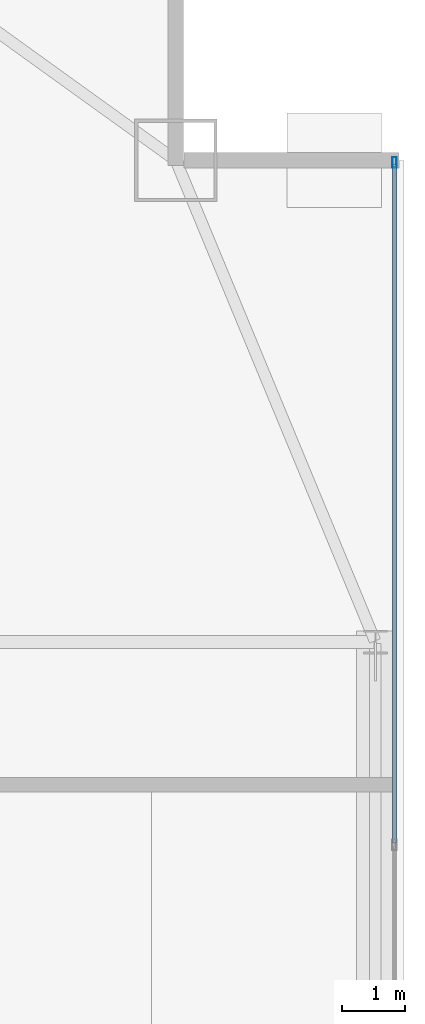
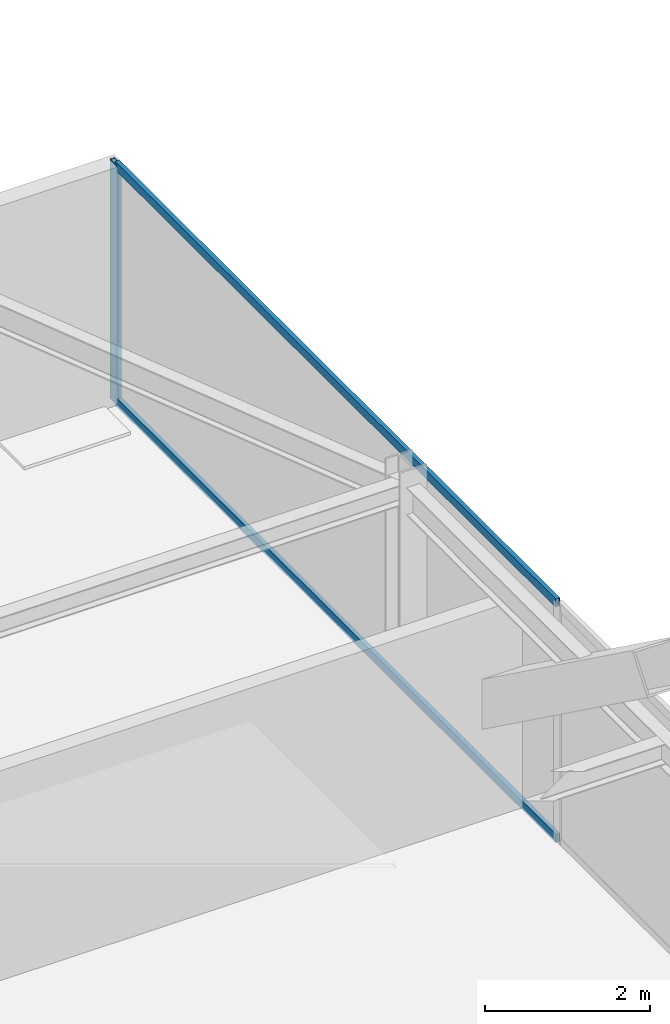
# One storey, part 24 of 33: 3 members, 1 element without a shape of its own.
"""IFC4 building model written with IfcOpenShell, lengths in metres."""

from ifc_helpers import new_model, si_unit, direction, frame, origin, origin_2d, place, context, subcontext, project, spatial, hollow_rectangle, extrude, source, transform, mapped, material, layer, layer_set, material_profile, profile_set, type_object, type_shapes, element, aggregate, save


model = new_model("IFC4")

# Units and contexts
model_context = context("Model", 3, precision=1e-05, world=origin(), true_north=direction((0.0, 1.0)))
body_context = subcontext(model_context, "Body", "Model", "MODEL_VIEW")
ifc_project = project(units=[si_unit("LENGTHUNIT", "METRE"), si_unit("AREAUNIT", "SQUARE_METRE"), si_unit("VOLUMEUNIT", "CUBIC_METRE"), si_unit("PLANEANGLEUNIT", "RADIAN"), si_unit("MASSUNIT", "GRAM", prefix="KILO")], contexts=[model_context])

# Site, building, storey
site_placement = place(None, origin())
site = spatial("IfcSite", under=ifc_project, at=site_placement, CompositionType="ELEMENT")
building_placement = place(site_placement, origin())
building = spatial("IfcBuilding", under=site, at=building_placement, Name="Varnel Quay Broadcast Tower", CompositionType="ELEMENT")
storey_placement = place(building_placement, frame((0.0, 0.0, 145.800048828125)))
storey = spatial("IfcBuildingStorey", under=building, at=storey_placement, Name="L35", CompositionType="ELEMENT", Elevation=145.800048828125)

# Curtain wall, members
ifc_material = material(Name="Anodised Bronze Aluminium 6063-T6", Category="aluminium")
ifc_layer = layer(ifc_material, 0.18994140625, Name="Anodised Bronze Aluminium 6063-T6")
ifc_layer_set = layer_set([ifc_layer], Name="Anodised Bronze Aluminium 6063-T6")
curtain_wall_type = type_object("IfcCurtainWallType", Name="CW_UpperTower", PredefinedType="NOTDEFINED", material=ifc_layer_set)
curtain_wall_placement = place(storey_placement, origin())
curtain_wall = element("IfcCurtainWall", 1, at=curtain_wall_placement, inside=storey, type_object=curtain_wall_type, Name="L35 East Unitised Curtain Wall", PredefinedType="NOTDEFINED")
ifc_material_profile_1 = material_profile(ifc_material, hollow_rectangle(XDim=0.06494140625, YDim=0.1650390625, WallThickness=0.00341796875, at=origin_2d()), Name="ALU65X165X3.5")
ifc_profile_set_1 = profile_set([ifc_material_profile_1], Name="Anodised Bronze Aluminium 6063-T6")
member_type_1 = type_object("IfcMemberType", Name="Mull_CWS-03", PredefinedType="MULLION", material=ifc_profile_set_1)
shared_shape_1 = source(origin(), body_context, "Body", "SweptSolid", [
    extrude(hollow_rectangle(XDim=0.06494140625, YDim=0.1650390625, WallThickness=0.00341796875, at=origin_2d()), origin(), (0.0, 0.0, 1.0), 3.550048828125),
])
type_shapes(member_type_1, [shared_shape_1])
member_1_placement = place(storey_placement, frame((60.85009765625, 43.16748046875, 0.0), z_axis=(0.0, 0.0, 1.0), x_axis=(-1.0, 0.0, 0.0)))
member_1 = element("IfcMember", 2, at=member_1_placement, type_object=member_type_1, Name="CWS-03 mullion 4", PredefinedType="MULLION", context=body_context, shape_type="MappedRepresentation", body=[
    mapped(shared_shape_1, transform((0.0, 0.0, 0.0), x_axis=(1.0, 0.0, 0.0), y_axis=(0.0, 1.0, 0.0), z_axis=(0.0, 0.0, 1.0), scale=1.0)),
])
ifc_material_profile_2 = material_profile(ifc_material, hollow_rectangle(XDim=0.06005859375, YDim=0.125, WallThickness=0.0029296875, at=origin_2d()), Name="ALU60X125X3")
ifc_profile_set_2 = profile_set([ifc_material_profile_2], Name="Anodised Bronze Aluminium 6063-T6")
member_type_2 = type_object("IfcMemberType", Name="Tran_CWS-03", PredefinedType="USERDEFINED", material=ifc_profile_set_2)
shared_shape_2 = source(origin(), body_context, "Body", "SweptSolid", [
    extrude(hollow_rectangle(XDim=0.06005859375, YDim=0.125, WallThickness=0.0029296875, at=origin_2d()), origin(), (0.0, 0.0, 1.0), 10.702392578125),
])
type_shapes(member_type_2, [shared_shape_2])
member_2_placement = place(storey_placement, frame((60.85009765625, 32.4326171875, 0.030029296875), z_axis=(0.0, 1.0, 0.0), x_axis=(-1.0, 0.0, 0.0)))
member_2 = element("IfcMember", 3, at=member_2_placement, type_object=member_type_2, Name="CWS-03 transom 3.1", ObjectType="TRANSOM", PredefinedType="USERDEFINED", context=body_context, shape_type="MappedRepresentation", body=[
    mapped(shared_shape_2, transform((0.0, 0.0, 0.0), x_axis=(1.0, 0.0, 0.0), y_axis=(0.0, 1.0, 0.0), z_axis=(0.0, 0.0, 1.0), scale=1.0)),
])
member_3_placement = place(storey_placement, frame((60.85009765625, 32.4326171875, 3.52001953125), z_axis=(0.0, 1.0, 0.0), x_axis=(-1.0, 0.0, 0.0)))
member_3 = element("IfcMember", 4, at=member_3_placement, type_object=member_type_2, Name="CWS-03 transom 3.2", ObjectType="TRANSOM", PredefinedType="USERDEFINED", context=body_context, shape_type="MappedRepresentation", body=[
    mapped(shared_shape_2, transform((0.0, 0.0, 0.0), x_axis=(1.0, 0.0, 0.0), y_axis=(0.0, 1.0, 0.0), z_axis=(0.0, 0.0, 1.0), scale=1.0)),
])
aggregate(curtain_wall, [member_1, member_2, member_3])

save(model, "model.ifc")
